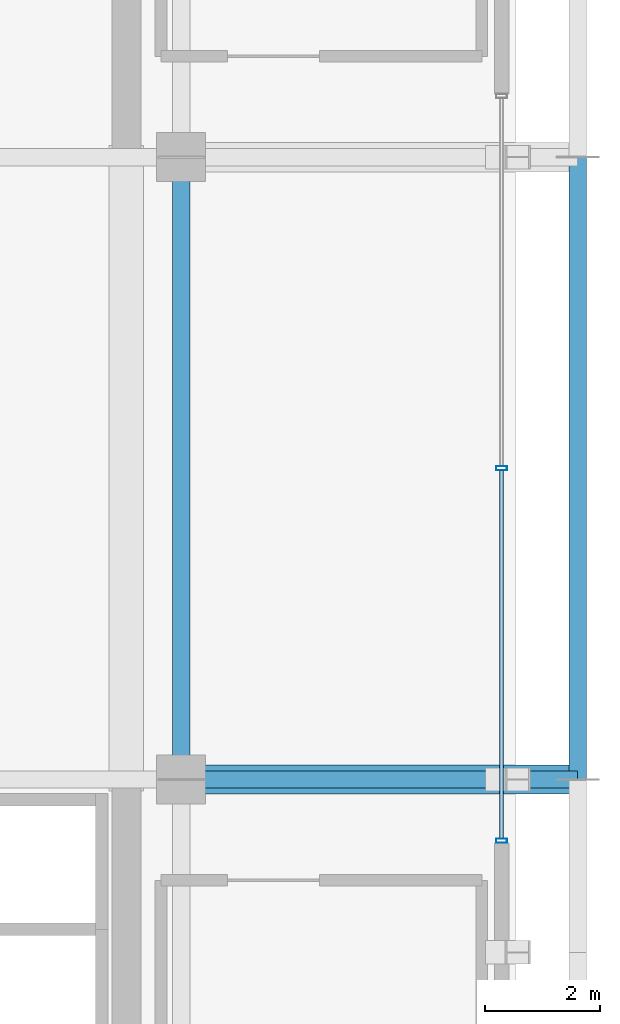
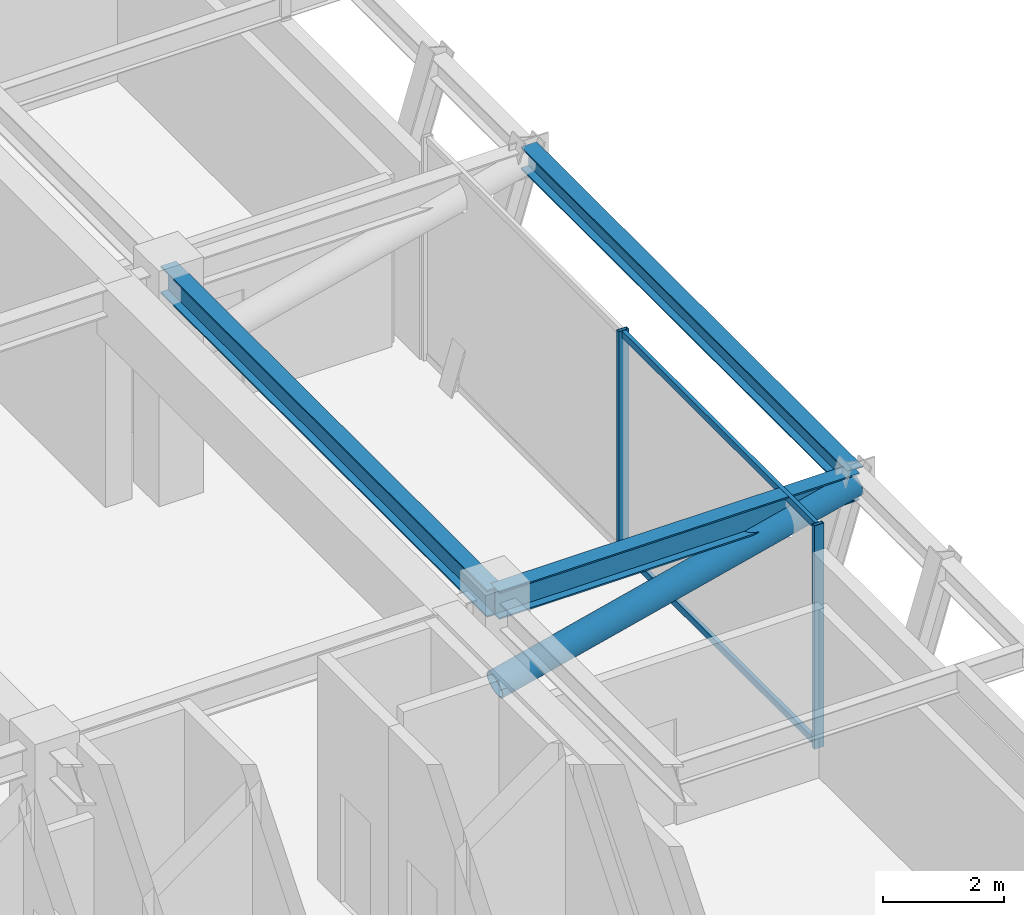
# One storey, part 6 of 16: 5 members, 3 beams, 1 element without a shape of its own.
"""IFC4 building model written with IfcOpenShell, lengths in metres."""

from ifc_helpers import new_model, si_unit, direction, frame, origin, origin_2d, place, context, subcontext, project, spatial, hollow_rectangle, hollow_circle, i_section, extrude, source, transform, mapped, material, material_profile, profile_set, type_object, element, aggregate, save


model = new_model("IFC4")

# Units and contexts
model_context = context("Model", 3, precision=1e-05, world=origin(), true_north=direction((0.0, 1.0)))
body_context = subcontext(model_context, "Body", "Model", "MODEL_VIEW")
ifc_project = project(units=[si_unit("LENGTHUNIT", "METRE"), si_unit("AREAUNIT", "SQUARE_METRE"), si_unit("VOLUMEUNIT", "CUBIC_METRE"), si_unit("PLANEANGLEUNIT", "RADIAN"), si_unit("MASSUNIT", "GRAM", prefix="KILO")], contexts=[model_context])

# Site, building, storey
site_placement = place(None, origin())
site = spatial("IfcSite", under=ifc_project, at=site_placement, CompositionType="ELEMENT")
building_placement = place(site_placement, origin())
building = spatial("IfcBuilding", under=site, at=building_placement, Name="Nahalor Promenade Grand Hotel", CompositionType="ELEMENT")
storey_placement = place(building_placement, frame((0.0, 0.0, 200.10009765625)))
storey = spatial("IfcBuildingStorey", under=building, at=storey_placement, Name="L51", CompositionType="ELEMENT", Elevation=200.10009765625)

# Beams
ifc_material_1 = material(Name="Steel S355JR", Category="steel")
ifc_material_profile_1 = material_profile(ifc_material_1, i_section(OverallWidth=0.3, OverallDepth=0.55, WebThickness=0.015, FlangeThickness=0.029, at=origin_2d()), Name="HEB 550")
ifc_profile_set_1 = profile_set([ifc_material_profile_1], Name="Steel S355JR")
beam_type_1 = type_object("IfcBeamType", Name="Beam-Girder-HEB550", PredefinedType="BEAM", material=ifc_profile_set_1)
shared_shape_1 = source(origin(), body_context, "Body", "SweptSolid", [
    extrude(i_section(OverallWidth=0.3, OverallDepth=0.55, WebThickness=0.015, FlangeThickness=0.029, at=origin_2d()), origin(), (0.0, 0.0, 1.0), 10.7998046875),
])
beam_1_placement = place(storey_placement, frame((17.0, -5.39990234375, 4.23486328125), z_axis=(0.0, 1.0, 0.0), x_axis=(-1.0, 0.0, 0.0)))
element("IfcBeam", 1, at=beam_1_placement, inside=storey, type_object=beam_type_1, Name="BM-L51-GY-5-2", PredefinedType="BEAM", context=body_context, shape_type="MappedRepresentation", body=[
    mapped(shared_shape_1, transform((0.0, 0.0, 0.0), scale=1.0)),
])
ifc_material_profile_2 = material_profile(ifc_material_1, i_section(OverallWidth=0.3, OverallDepth=0.45, WebThickness=0.014, FlangeThickness=0.026, at=origin_2d()), Name="HEB 450")
ifc_profile_set_2 = profile_set([ifc_material_profile_2], Name="Steel S355JR")
beam_type_2 = type_object("IfcBeamType", Name="Beam-Spandrel-HEB450", PredefinedType="SPANDREL", material=ifc_profile_set_2)
shared_shape_2 = source(origin(), body_context, "Body", "SweptSolid", [
    extrude(i_section(OverallWidth=0.3, OverallDepth=0.45, WebThickness=0.014, FlangeThickness=0.026, at=origin_2d()), origin(), (0.0, 0.0, 1.0), 10.7998046875),
])
beam_2_placement = place(storey_placement, frame((23.8798828125, -5.39990234375, 4.284912109375), z_axis=(0.0, 1.0, 0.0), x_axis=(-1.0, 0.0, 0.0)))
element("IfcBeam", 2, at=beam_2_placement, inside=storey, type_object=beam_type_2, Name="BM-L51-SP-E-2", PredefinedType="SPANDREL", context=body_context, shape_type="MappedRepresentation", body=[
    mapped(shared_shape_2, transform((0.0, 0.0, 0.0), scale=1.0)),
])
shared_shape_3 = source(origin(), body_context, "Body", "SweptSolid", [
    extrude(i_section(OverallWidth=0.3, OverallDepth=0.55, WebThickness=0.015, FlangeThickness=0.029, at=origin_2d()), origin(), (0.0, 0.0, 1.0), 6.8798828125),
])
beam_3_placement = place(storey_placement, frame((17.0, -5.39990234375, 4.23486328125), z_axis=(1.0, 0.0, 0.0), x_axis=(0.0, 1.0, 0.0)))
element("IfcBeam", 3, at=beam_3_placement, inside=storey, type_object=beam_type_1, Name="BM-L51-GX-1-6", PredefinedType="BEAM", context=body_context, shape_type="MappedRepresentation", body=[
    mapped(shared_shape_3, transform((0.0, 0.0, 0.0), scale=1.0)),
])

# Member
ifc_material_2 = material(Name="Steel S355J2", Category="steel")
ifc_material_profile_3 = material_profile(ifc_material_2, hollow_circle(Radius=0.254, WallThickness=0.025, at=origin_2d()), Name="CHS 508x25")
ifc_profile_set_3 = profile_set([ifc_material_profile_3], Name="Steel S355J2")
member_type_1 = type_object("IfcMemberType", Name="Mem-OutDiag-CHS508", PredefinedType="BRACE", material=ifc_profile_set_3)
shared_shape_4 = source(origin(), body_context, "Body", "SweptSolid", [
    extrude(hollow_circle(Radius=0.254, WallThickness=0.025, at=origin_2d()), origin(), (0.0, 0.0, 1.0), 7.0869140625),
])
member_1_placement = place(storey_placement, frame((17.0, -5.39990234375, 2.5498046875), z_axis=(0.970795518061, 0.0, 0.239908445272), x_axis=(0.0, 1.0, 0.0)))
element("IfcMember", 4, at=member_1_placement, inside=storey, type_object=member_type_1, Name="OU-L51-E1-D0", PredefinedType="BRACE", context=body_context, shape_type="MappedRepresentation", body=[
    mapped(shared_shape_4, transform((0.0, 0.0, 0.0), scale=1.0)),
])

# Curtain wall, members
ifc_material_3 = material(Name="Anodised Bronze Aluminium EN AW-6063 T6", Category="aluminium")
curtain_wall_type = type_object("IfcCurtainWallType", Name="CW6 Crown Botanical Conservatory Curtain Wall", PredefinedType="USERDEFINED", material=ifc_material_3)
curtain_wall_placement = place(storey_placement, origin())
curtain_wall = element("IfcCurtainWall", 5, at=curtain_wall_placement, inside=storey, type_object=curtain_wall_type, Name="L51 Curtain Wall CW-L51-E", ObjectType="UNITISED_CURTAIN_WALL", PredefinedType="USERDEFINED")
ifc_material_profile_4 = material_profile(ifc_material_3, hollow_rectangle(XDim=0.075, YDim=0.135, WallThickness=0.004, at=origin_2d()), Name="CWT 75x135x4")
ifc_profile_set_4 = profile_set([ifc_material_profile_4], Name="Anodised Bronze Aluminium EN AW-6063 T6")
member_type_2 = type_object("IfcMemberType", Name="CWT6 Conservatory Transom 75x135", PredefinedType="USERDEFINED", material=ifc_profile_set_4)
shared_shape_5 = source(origin(), body_context, "Body", "SweptSolid", [
    extrude(hollow_rectangle(XDim=0.075, YDim=0.135, WallThickness=0.004, at=origin_2d()), origin(), (0.0, 0.0, 1.0), 6.387451171875),
])
member_2_placement = place(storey_placement, frame((22.56005859375, -6.425048828125, 0.0673828125), z_axis=(0.0, 1.0, 0.0), x_axis=(-1.0, 0.0, 0.0)))
member_2 = element("IfcMember", 6, at=member_2_placement, type_object=member_type_2, Name="CW-L51-E Transom 0-0", ObjectType="TRANSOM", PredefinedType="USERDEFINED", context=body_context, shape_type="MappedRepresentation", body=[
    mapped(shared_shape_5, transform((0.0, 0.0, 0.0), scale=1.0)),
])
member_3_placement = place(storey_placement, frame((22.56005859375, -6.425048828125, 4.4423828125), z_axis=(0.0, 1.0, 0.0), x_axis=(-1.0, 0.0, 0.0)))
member_3 = element("IfcMember", 7, at=member_3_placement, type_object=member_type_2, Name="CW-L51-E Transom 0-1", ObjectType="TRANSOM", PredefinedType="USERDEFINED", context=body_context, shape_type="MappedRepresentation", body=[
    mapped(shared_shape_5, transform((0.0, 0.0, 0.0), scale=1.0)),
])
ifc_material_profile_5 = material_profile(ifc_material_3, hollow_rectangle(XDim=0.075, YDim=0.19, WallThickness=0.005, at=origin_2d()), Name="CWM 75x190x5")
ifc_profile_set_5 = profile_set([ifc_material_profile_5], Name="Anodised Bronze Aluminium EN AW-6063 T6")
member_type_3 = type_object("IfcMemberType", Name="CWM6 Conservatory Bronze Mullion 75x190", PredefinedType="MULLION", material=ifc_profile_set_5)
shared_shape_6 = source(origin(), body_context, "Body", "SweptSolid", [
    extrude(hollow_rectangle(XDim=0.075, YDim=0.19, WallThickness=0.005, at=origin_2d()), origin(), (0.0, 0.0, 1.0), 4.510009765625),
])
member_4_placement = place(storey_placement, frame((22.56005859375, -6.46240234375, 0.0), z_axis=(0.0, 0.0, 1.0), x_axis=(0.0, 1.0, 0.0)))
member_4 = element("IfcMember", 8, at=member_4_placement, type_object=member_type_3, Name="CW-L51-E Mullion 0", PredefinedType="MULLION", context=body_context, shape_type="MappedRepresentation", body=[
    mapped(shared_shape_6, transform((0.0, 0.0, 0.0), scale=1.0)),
])
member_5_placement = place(storey_placement, frame((22.56005859375, 0.0, 0.0), z_axis=(0.0, 0.0, 1.0), x_axis=(0.0, 1.0, 0.0)))
member_5 = element("IfcMember", 9, at=member_5_placement, type_object=member_type_3, Name="CW-L51-E Mullion 1", PredefinedType="MULLION", context=body_context, shape_type="MappedRepresentation", body=[
    mapped(shared_shape_6, transform((0.0, 0.0, 0.0), scale=1.0)),
])
aggregate(curtain_wall, [member_4, member_5, member_2, member_3])

save(model, "model.ifc")
